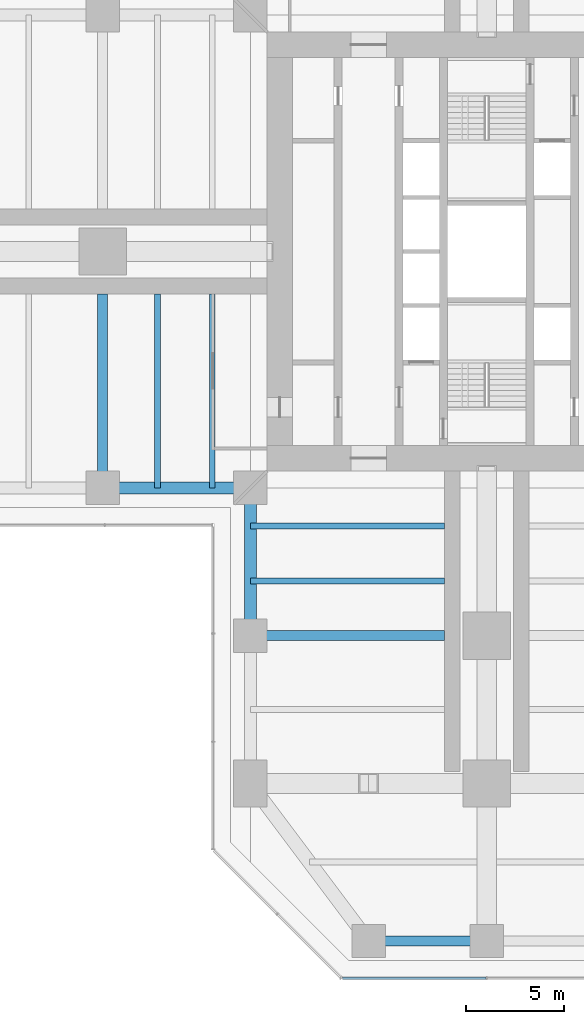
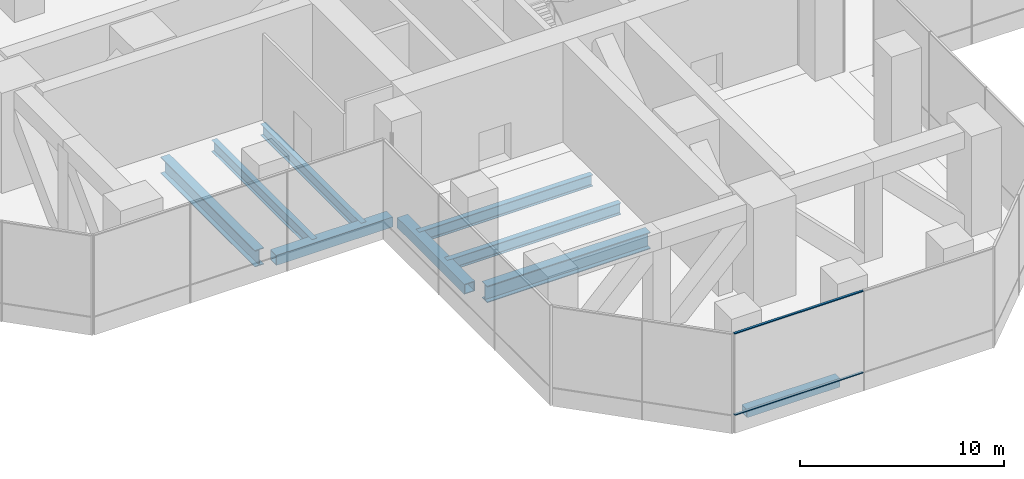
# One storey, part 4 of 20: 9 beams, 2 members, 1 element without a shape of its own.
"""IFC4 building model written with IfcOpenShell, lengths in metres."""

from ifc_helpers import new_model, si_unit, direction, frame, origin, origin_2d, place, context, subcontext, project, spatial, rectangle, hollow_rectangle, i_section, extrude, material, material_profile, profile_set, type_object, element, aggregate, save


model = new_model("IFC4")

# Units and contexts
model_context = context("Model", 3, precision=1e-05, world=origin(), true_north=direction((0.0, 1.0)))
body_context = subcontext(model_context, "Body", "Model", "MODEL_VIEW")
ifc_project = project(units=[si_unit("LENGTHUNIT", "METRE"), si_unit("AREAUNIT", "SQUARE_METRE"), si_unit("VOLUMEUNIT", "CUBIC_METRE"), si_unit("PLANEANGLEUNIT", "RADIAN"), si_unit("MASSUNIT", "GRAM", prefix="KILO")], contexts=[model_context])

# Site, building, storey
site_placement = place(None, origin())
site = spatial("IfcSite", under=ifc_project, at=site_placement, CompositionType="ELEMENT")
building_placement = place(site_placement, origin())
building = spatial("IfcBuilding", under=site, at=building_placement, Name="Mizan Broadcast Tower", CompositionType="ELEMENT")
storey_placement = place(building_placement, frame((0.0, 0.0, 118.199951171875)))
storey = spatial("IfcBuildingStorey", under=building, at=storey_placement, Name="L26", CompositionType="ELEMENT", Elevation=118.199951171875)

# Beams
ifc_material_1 = material(Name="Steel S355", Category="steel")
ifc_material_profile_1 = material_profile(ifc_material_1, hollow_rectangle(XDim=0.5, YDim=0.5, WallThickness=0.030029296875, at=origin_2d()), Name="BOX 500x500x30")
ifc_profile_set_1 = profile_set([ifc_material_profile_1], Name="Steel S355")
beam_type_1 = type_object("IfcBeamType", Name="EDGE BEAM BOX 500x500x30", PredefinedType="SPANDREL", material=ifc_profile_set_1)
beam_placement = place(storey_placement, frame((-5.639892578125, -35.0, -0.429931640625), z_axis=(1.0, 0.0, 0.0), x_axis=(0.0, 1.0, 0.0)))
element("IfcBeam", 1, at=beam_placement, inside=storey, type_object=beam_type_1, Name="Edge beam BOX 500x500x30 L26 south arm", PredefinedType="SPANDREL", context=body_context, shape_type="SweptSolid", body=[
    extrude(hollow_rectangle(XDim=0.5, YDim=0.5, WallThickness=0.030029296875, at=origin_2d()), origin(), (0.0, 0.0, 1.0), 5.27978515625),
])
ifc_material_2 = material(Name="Steel S355", Category="steel")
ifc_material_profile_2 = material_profile(ifc_material_2, hollow_rectangle(XDim=0.60009765625, YDim=0.60009765625, WallThickness=0.0400390625, at=origin_2d()), Name="BOX 600x600x40")
ifc_profile_set_2 = profile_set([ifc_material_profile_2], Name="Steel S355")
beam_type_2 = type_object("IfcBeamType", Name="EDGE BEAM BOX 600x600x40", PredefinedType="SPANDREL", material=ifc_profile_set_2)
for number, where, z_axis, x_axis, name in (
    (2, (-12.449951171875, -12.0, -0.47998046875), (-1.0, 0.0, 0.0), (0.0, -1.0, 0.0), "Edge beam BOX 600x600x40 L26 west arm"),
    (3, (-12.0, -12.449951171875, -0.47998046875), (0.0, -1.0, 0.0), (1.0, 0.0, 0.0), "Edge beam BOX 600x600x40 L26 south arm"),
):
    element("IfcBeam", number, at=place(storey_placement, frame(where, z_axis=z_axis, x_axis=x_axis)), inside=storey, type_object=beam_type_2, Name=name, PredefinedType="SPANDREL", context=body_context, shape_type="SweptSolid", body=[
        extrude(hollow_rectangle(XDim=0.60009765625, YDim=0.60009765625, WallThickness=0.0400390625, at=origin_2d()), origin(), (0.0, 0.0, 1.0), 6.60009765625),
    ])
ifc_material_3 = material(Name="Steel S460", Category="steel")
ifc_material_profile_3 = material_profile(ifc_material_3, i_section(OverallWidth=0.5, OverallDepth=1.0, WebThickness=0.02490234375, FlangeThickness=0.050048828125, at=origin_2d()), Name="WPG 1000x500")
ifc_profile_set_3 = profile_set([ifc_material_profile_3], Name="Steel S460")
beam_type_3 = type_object("IfcBeamType", Name="GIRDER WPG 1000x500", PredefinedType="BEAM", material=ifc_profile_set_3)
for number, where, z_axis, x_axis, name in (
    (4, (-19.5, -11.408935546875, -0.679931640625), (0.0, 1.0, 0.0), (-1.0, 0.0, 0.0), "Girder WPG 1000x500 L26 west arm"),
    (5, (-11.408935546875, -19.5, -0.679931640625), (1.0, 0.0, 0.0), (0.0, 1.0, 0.0), "Girder WPG 1000x500 L26 south arm"),
):
    element("IfcBeam", number, at=place(storey_placement, frame(where, z_axis=z_axis, x_axis=x_axis)), inside=storey, type_object=beam_type_3, Name=name, PredefinedType="BEAM", context=body_context, shape_type="SweptSolid", body=[
        extrude(i_section(OverallWidth=0.5, OverallDepth=1.0, WebThickness=0.02490234375, FlangeThickness=0.050048828125, at=origin_2d()), origin(), (0.0, 0.0, 1.0), 9.259033203125),
    ])

# Curtain wall, members
ifc_material_4 = material(Name="Aluminium framed glazing", Category="aluminium")
curtain_wall_type = type_object("IfcCurtainWallType", Name="PLANT LOUVRE", PredefinedType="USERDEFINED", material=ifc_material_4)
curtain_wall_placement = place(storey_placement, origin())
curtain_wall = element("IfcCurtainWall", 6, at=curtain_wall_placement, inside=storey, type_object=curtain_wall_type, Name="Plant louvre L26 S end", ObjectType="PLANT LOUVRE", PredefinedType="USERDEFINED")
ifc_material_5 = material(Name="Aluminium, pale anodised", Category="aluminium")
ifc_material_profile_4 = material_profile(ifc_material_5, rectangle(XDim=0.1201171875, YDim=0.06005859375, at=origin_2d()), Name="TRANSOM 120x60")
ifc_profile_set_4 = profile_set([ifc_material_profile_4], Name="Aluminium, pale anodised")
member_type = type_object("IfcMemberType", Name="INNER SKIN TRANSOM 60x120", PredefinedType="USERDEFINED", material=ifc_profile_set_4)
member_1_placement = place(storey_placement, frame((-7.312744140625, -36.89990234375, 1.10009765625), z_axis=(1.0, 0.0, 0.0), x_axis=(0.0, 1.0, 0.0)))
member_1 = element("IfcMember", 7, at=member_1_placement, type_object=member_type, Name="Plant louvre L26 S end transom 1.1", ObjectType="TRANSOM", PredefinedType="USERDEFINED", context=body_context, shape_type="SweptSolid", body=[
    extrude(rectangle(XDim=0.1201171875, YDim=0.06005859375, at=origin_2d()), origin(), (0.0, 0.0, 1.0), 7.28271484375),
])
member_2_placement = place(storey_placement, frame((-7.312744140625, -36.89990234375, 5.969970703125), z_axis=(1.0, 0.0, 0.0), x_axis=(0.0, 1.0, 0.0)))
member_2 = element("IfcMember", 8, at=member_2_placement, type_object=member_type, Name="Plant louvre L26 S end transom 1.2", ObjectType="TRANSOM", PredefinedType="USERDEFINED", context=body_context, shape_type="SweptSolid", body=[
    extrude(rectangle(XDim=0.1201171875, YDim=0.06005859375, at=origin_2d()), origin(), (0.0, 0.0, 1.0), 7.28271484375),
])
aggregate(curtain_wall, [member_1, member_2])

# Beams
ifc_material_6 = material(Name="Steel S355", Category="steel")
ifc_material_profile_5 = material_profile(ifc_material_6, i_section(OverallWidth=0.300048828125, OverallDepth=0.68994140625, WebThickness=0.014404296875, FlangeThickness=0.027099609375, FilletRadius=0.027099609375, at=origin_2d()), Name="HEA 700")
ifc_profile_set_5 = profile_set([ifc_material_profile_5], Name="Steel S355")
beam_type_4 = type_object("IfcBeamType", Name="SECONDARY BEAM HEA 700", PredefinedType="JOIST", material=ifc_profile_set_5)
for number, where, z_axis, x_axis, name in (
    (9, (-13.933349609375, -12.0, -0.52490234375), (0.0, 1.0, 0.0), (-1.0, 0.0, 0.0), "Secondary beam HEA 700 L26 west arm"),
    (10, (-16.716552734375, -12.0, -0.52490234375), (0.0, 1.0, 0.0), (-1.0, 0.0, 0.0), "Secondary beam HEA 700 L26 west arm"),
    (11, (-12.0, -13.933349609375, -0.52490234375), (1.0, 0.0, 0.0), (0.0, 1.0, 0.0), "Secondary beam HEA 700 L26 south arm"),
    (12, (-12.0, -16.716552734375, -0.52490234375), (1.0, 0.0, 0.0), (0.0, 1.0, 0.0), "Secondary beam HEA 700 L26 south arm"),
):
    element("IfcBeam", number, at=place(storey_placement, frame(where, z_axis=z_axis, x_axis=x_axis)), inside=storey, type_object=beam_type_4, Name=name, PredefinedType="JOIST", context=body_context, shape_type="SweptSolid", body=[
        extrude(i_section(OverallWidth=0.300048828125, OverallDepth=0.68994140625, WebThickness=0.014404296875, FlangeThickness=0.027099609375, FilletRadius=0.027099609375, at=origin_2d()), origin(), (0.0, 0.0, 1.0), 9.85009765625),
    ])

save(model, "model.ifc")
